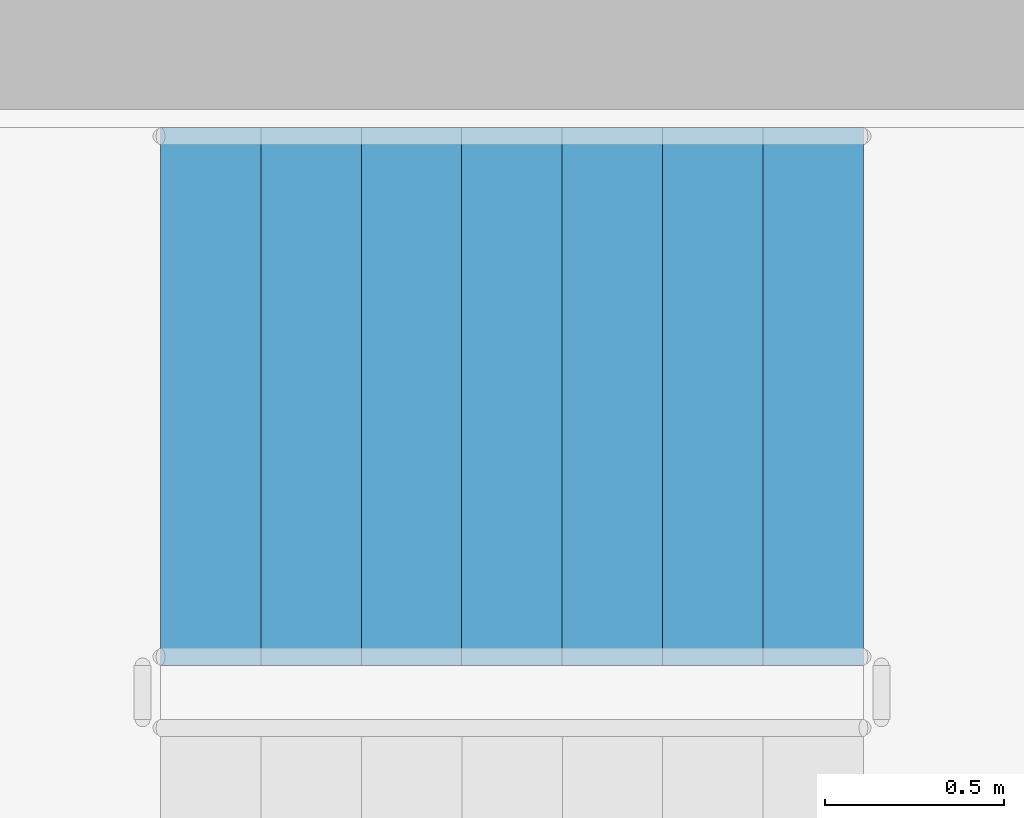
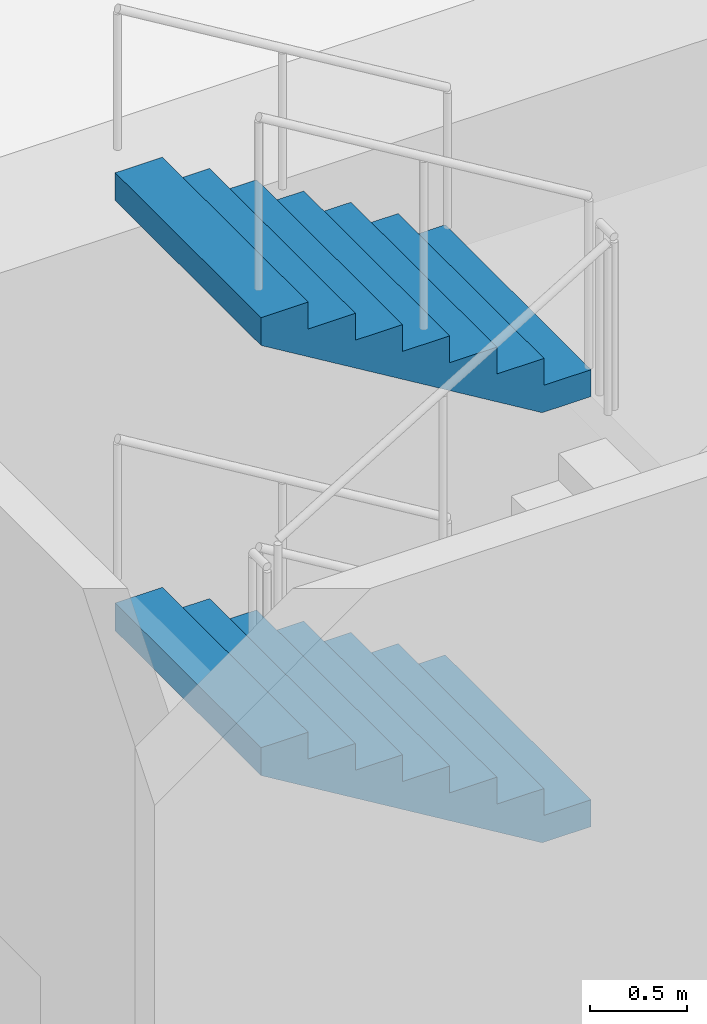
# One storey, part 54 of 101: 2 stair flights, 1 element without a shape of its own.
"""IFC4 building model written with IfcOpenShell, lengths in metres."""

import ifcopenshell
import ifcopenshell.guid

model = None  # the IFC model being written
_history = None  # IfcOwnerHistory: only IFC2X3 demands one
_inside = {}  # id of a spatial element -> (the spatial element, [elements in it])
_under = {}  # id of a project, library or spatial element -> (it, [spatial elements below it])
_declared = {}  # id of a project -> (the project, [libraries it declares])
_typed = {}  # id of a type object -> (the type object, [elements of that type])
_made_of = {}  # id of a material, layer set ... -> (it, [elements and type objects made of it])


def new_model(schema):
    """Start an empty IFC model of exactly this schema.

    Asked for "IFC4X3", IfcOpenShell would pick the latest addendum, in which some entities
    have other attributes; the version numbers below select the first issue.
    IFC2X3 requires an IfcOwnerHistory on every rooted entity: one is made here for all.
    """
    global model, _history
    if schema == "IFC4X3":
        model = ifcopenshell.file(schema_version=(4, 3, 0, 0))
    else:
        model = ifcopenshell.file(schema=schema)
    _inside.clear()
    _under.clear()
    _declared.clear()
    _typed.clear()
    _made_of.clear()
    _history = None
    if model.schema == "IFC2X3":
        org = make("IfcOrganization", Name="unknown")
        user = make(
            "IfcPersonAndOrganization",
            ThePerson=make("IfcPerson", FamilyName="unknown"),
            TheOrganization=org,
        )
        app = make(
            "IfcApplication",
            ApplicationDeveloper=org,
            Version="unknown",
            ApplicationFullName="unknown",
            ApplicationIdentifier="unknown",
        )
        _history = make(
            "IfcOwnerHistory",
            OwningUser=user,
            OwningApplication=app,
            ChangeAction="ADDED",
            CreationDate=0,
        )
    return model


def make(cls, **values):
    """One entity of the class cls with the attributes given. An attribute that is None is left unset."""
    return model.create_entity(
        cls, **{name: value for name, value in values.items() if value is not None}
    )


def rooted(cls, **values):
    """An entity with a GlobalId (a new one), such as an element, a storey or a relation."""
    return make(cls, GlobalId=ifcopenshell.guid.new(), OwnerHistory=_history, **values)


def si_unit(unit_type, name, prefix=None):
    """IfcSIUnit, for example si_unit("LENGTHUNIT", "METRE", prefix="MILLI")."""
    return make("IfcSIUnit", UnitType=unit_type, Prefix=prefix, Name=name)


def assignment(units):
    """IfcUnitAssignment: the units of a project."""
    return None if units is None else make("IfcUnitAssignment", Units=units)


def point(xyz):
    """IfcCartesianPoint."""
    return None if xyz is None else make("IfcCartesianPoint", Coordinates=xyz)


def direction(xyz):
    """IfcDirection."""
    return None if xyz is None else make("IfcDirection", DirectionRatios=xyz)


def frame(location, z_axis=None, x_axis=None):
    """IfcAxis2Placement3D, a coordinate frame: its origin and axes. An axis left out is left unset."""
    return make(
        "IfcAxis2Placement3D",
        Location=point(location),
        Axis=direction(z_axis),
        RefDirection=direction(x_axis),
    )


def origin():
    """The frame at (0, 0, 0) with its axes left unset."""
    return frame((0.0, 0.0, 0.0))


def place(relative_to, where):
    """IfcLocalPlacement: puts the frame where relative to a parent placement (None: the world)."""
    return make(
        "IfcLocalPlacement", PlacementRelTo=relative_to, RelativePlacement=where
    )


def context(
    kind, dimensions, precision=None, world=None, true_north=None, identifier=None
):
    """IfcGeometricRepresentationContext, for example the 3D "Model" context."""
    return make(
        "IfcGeometricRepresentationContext",
        ContextIdentifier=identifier,
        ContextType=kind,
        CoordinateSpaceDimension=dimensions,
        Precision=precision,
        WorldCoordinateSystem=world,
        TrueNorth=true_north,
    )


def subcontext(parent, identifier, kind, view, scale=None):
    """IfcGeometricRepresentationSubContext, for example "Body" below "Model"."""
    return make(
        "IfcGeometricRepresentationSubContext",
        ContextIdentifier=identifier,
        ContextType=kind,
        ParentContext=parent,
        TargetScale=scale,
        TargetView=view,
    )


def project(units=None, contexts=None):
    """IfcProject with its units and contexts."""
    return rooted(
        "IfcProject",
        Name="project",
        RepresentationContexts=contexts,
        UnitsInContext=assignment(units),
    )


def spatial(cls, under=None, at=None, **own):
    """A site, building, storey or space (cls), placed at a placement, below another one or the project."""
    s = rooted(cls, ObjectPlacement=at, **own)
    if under is not None:
        _under.setdefault(under.id(), (under, []))[1].append(s)
    return s


def point_list(points):
    """IfcCartesianPointList2D or 3D."""
    cls = (
        "IfcCartesianPointList2D" if len(points[0]) == 2 else "IfcCartesianPointList3D"
    )
    return make(cls, CoordList=points)


def triangles(points, corners, closed=None, point_numbers=None):
    """IfcTriangulatedFaceSet: each triangle names its three corners, points numbered from 1."""
    return make(
        "IfcTriangulatedFaceSet",
        Coordinates=point_list(points),
        Closed=closed,
        CoordIndex=corners,
        PnIndex=point_numbers,
    )


def shape(context_of_items, identifier, shape_type, items):
    """IfcShapeRepresentation: the items that make up one representation, for example the "Body"."""
    return make(
        "IfcShapeRepresentation",
        ContextOfItems=context_of_items,
        RepresentationIdentifier=identifier,
        RepresentationType=shape_type,
        Items=items,
    )


def material(Name=None, Category=None):
    """IfcMaterial."""
    return make("IfcMaterial", Name=Name, Category=Category)


def made_of(thing, what):
    """Note that an element or type object is made of a material, layer set ...; save() writes the relation."""
    if what is not None:
        _made_of.setdefault(what.id(), (what, []))[1].append(thing)
    return thing


def type_object(cls, material=None, **own):
    """A type object (cls), such as IfcWallType, which elements share."""
    return made_of(rooted(cls, **own), material)


def element(
    cls,
    number,
    at=None,
    inside=None,
    cuts=None,
    type_object=None,
    material=None,
    context=None,
    identifier="Body",
    shape_type=None,
    held_by="IfcProductDefinitionShape",
    body=None,
    shapes=None,
    **own,
):
    """One element of the class cls, such as IfcWall. Its Tag is "e" and its number.

    at: its placement. inside: the storey or other place that contains it. cuts: it is an
    opening in that element (IfcRelVoidsElement). A single representation is given by context,
    identifier, shape_type and body (its items); several are given by shapes. held_by: the class
    of the entity that holds the representations. save() writes the other relations.
    """
    e = rooted(cls, Tag="e%d" % number, ObjectPlacement=at, **own)
    if body is not None:
        shapes = [shape(context, identifier, shape_type, body)]
    if shapes is not None:
        e.Representation = make(held_by, Representations=shapes)
    if inside is not None:
        _inside.setdefault(inside.id(), (inside, []))[1].append(e)
    if cuts is not None:
        rooted(
            "IfcRelVoidsElement", RelatingBuildingElement=cuts, RelatedOpeningElement=e
        )
    if type_object is not None:
        _typed.setdefault(type_object.id(), (type_object, []))[1].append(e)
    return made_of(e, material)


def aggregate(whole, parts):
    """IfcRelAggregates: a whole, such as a stair, and the parts it consists of."""
    return rooted("IfcRelAggregates", RelatingObject=whole, RelatedObjects=parts)


def save(model, path):
    """Write the relations noted so far, then the file.

    IfcRelAggregates (storeys below a building ...), IfcRelContainedInSpatialStructure (elements
    in a storey), IfcRelDefinesByType, IfcRelAssociatesMaterial and IfcRelDeclares: one each for
    every whole, place, type object, material and project.
    """
    for whole, parts in _under.values():
        aggregate(whole, parts)
    for where, things in _inside.values():
        rooted(
            "IfcRelContainedInSpatialStructure",
            RelatedElements=things,
            RelatingStructure=where,
        )
    for kind, things in _typed.values():
        rooted("IfcRelDefinesByType", RelatedObjects=things, RelatingType=kind)
    for what, things in _made_of.values():
        rooted("IfcRelAssociatesMaterial", RelatedObjects=things, RelatingMaterial=what)
    for by, libraries in _declared.values():
        rooted("IfcRelDeclares", RelatingContext=by, RelatedDefinitions=libraries)
    model.write(path)


model = new_model("IFC4")

# Units and contexts
model_context = context("Model", 3, precision=1e-05, world=origin(), true_north=direction((0.0, 1.0)))
body_context = subcontext(model_context, "Body", "Model", "MODEL_VIEW")
ifc_project = project(units=[si_unit("LENGTHUNIT", "METRE"), si_unit("AREAUNIT", "SQUARE_METRE"), si_unit("VOLUMEUNIT", "CUBIC_METRE"), si_unit("PLANEANGLEUNIT", "RADIAN"), si_unit("MASSUNIT", "GRAM", prefix="KILO")], contexts=[model_context])

# Site, building, storey
site_placement = place(None, origin())
site = spatial("IfcSite", under=ifc_project, at=site_placement, CompositionType="ELEMENT")
building_placement = place(site_placement, origin())
building = spatial("IfcBuilding", under=site, at=building_placement, Name="Magnolia Steps Interchange", CompositionType="ELEMENT")
storey_placement = place(building_placement, frame((0.0, 0.0, -5.39990234375)))
storey = spatial("IfcBuildingStorey", under=building, at=storey_placement, Name="B1", CompositionType="ELEMENT", Elevation=-5.39990234375)

# Stair, stair flights
ifc_material_1 = material(Name="Concrete C40", Category="concrete")
stair_type = type_object("IfcStairType", Name="Exit stair 1500", PredefinedType="HALF_TURN_STAIR", material=ifc_material_1)
stair_placement = place(storey_placement, origin())
stair = element("IfcStair", 1, at=stair_placement, inside=storey, type_object=stair_type, Name="B1 Stair 7", PredefinedType="HALF_TURN_STAIR")
ifc_material_2 = material(Name="Concrete C40", Category="concrete")
stair_flight_type = type_object("IfcStairFlightType", Name="Exit stair flight", PredefinedType="STRAIGHT", material=ifc_material_2)
stair_flight_1_placement = place(storey_placement, frame((114.159912109375, 51.949951171875, 1.349853515625), z_axis=(0.0, 0.0, 1.0), x_axis=(-1.0, 0.0, 0.0)))
stair_flight_1 = element("IfcStairFlight", 2, at=stair_flight_1_placement, type_object=stair_flight_type, Name="Stair 7 flight 2", NumberOfRisers=8, NumberOfTreads=7, PredefinedType="STRAIGHT", RiserHeight=0.16875, TreadLength=0.28, context=body_context, shape_type="Tessellation", body=[
    triangles([(0.0, -0.75, 0.0), (0.29052734375, -0.75, 0.0), (1.9599609375, -0.75, 1.00634765625), (1.9599609375, -0.75, 1.18115234375), (1.679931640625, -0.75, 1.18115234375), (1.679931640625, -0.75, 1.012451171875), (1.39990234375, -0.75, 1.012451171875), (1.39990234375, -0.75, 0.84375), (1.1201171875, -0.75, 0.84375), (1.1201171875, -0.75, 0.675048828125), (0.840087890625, -0.75, 0.675048828125), (0.840087890625, -0.75, 0.50634765625), (0.56005859375, -0.75, 0.50634765625), (0.56005859375, -0.75, 0.33740234375), (0.280029296875, -0.75, 0.33740234375), (0.280029296875, -0.75, 0.168701171875), (0.0, -0.75, 0.168701171875), (0.0, 0.75, 0.0), (0.29052734375, 0.75, 0.0), (1.9599609375, 0.75, 1.00634765625), (1.9599609375, 0.75, 1.18115234375), (1.679931640625, 0.75, 1.18115234375), (1.679931640625, 0.75, 1.012451171875), (1.39990234375, 0.75, 1.012451171875), (1.39990234375, 0.75, 0.84375), (1.1201171875, 0.75, 0.84375), (1.1201171875, 0.75, 0.675048828125), (0.840087890625, 0.75, 0.675048828125), (0.840087890625, 0.75, 0.50634765625), (0.56005859375, 0.75, 0.50634765625), (0.56005859375, 0.75, 0.33740234375), (0.280029296875, 0.75, 0.33740234375), (0.280029296875, 0.75, 0.168701171875), (0.0, 0.75, 0.168701171875), (0.0, 0.0, 0.0), (0.0, 0.0, 0.04217529296875), (0.0, 0.0, 0.0843505859375), (0.0, 0.0, 0.12652587890625), (0.0, 0.0, 0.168701171875), (0.0, -0.05, 0.0), (0.0, -0.05, 0.168701171875), (0.0, 0.05, 0.0), (0.0, 0.05, 0.168701171875), (0.046671549479166664, 0.0, 0.168701171875), (0.09334309895833333, 0.0, 0.168701171875), (0.1400146484375, 0.0, 0.168701171875), (0.18668619791666666, 0.0, 0.168701171875), (0.23335774739583334, 0.0, 0.168701171875), (0.280029296875, 0.0, 0.168701171875), (0.280029296875, -0.05, 0.168701171875), (0.280029296875, 0.05, 0.168701171875), (0.280029296875, 0.0, 0.21087646484375), (0.280029296875, 0.0, 0.2530517578125), (0.280029296875, 0.0, 0.29522705078125), (0.280029296875, 0.0, 0.33740234375), (0.280029296875, -0.05, 0.33740234375), (0.280029296875, 0.05, 0.33740234375), (0.3267008463541667, 0.0, 0.33740234375), (0.3733723958333333, 0.0, 0.33740234375), (0.4200439453125, 0.0, 0.33740234375), (0.46671549479166663, 0.0, 0.33740234375), (0.5133870442708334, 0.0, 0.33740234375), (0.56005859375, 0.0, 0.33740234375), (0.56005859375, -0.05, 0.33740234375), (0.56005859375, 0.05, 0.33740234375), (0.56005859375, 0.0, 0.379638671875), (0.56005859375, 0.0, 0.421875), (0.56005859375, 0.0, 0.464111328125), (0.56005859375, 0.0, 0.50634765625), (0.56005859375, -0.05, 0.50634765625), (0.56005859375, 0.05, 0.50634765625), (0.6067301432291666, 0.0, 0.50634765625), (0.6534016927083334, 0.0, 0.50634765625), (0.7000732421875, 0.0, 0.50634765625), (0.7467447916666666, 0.0, 0.50634765625), (0.7934163411458334, 0.0, 0.50634765625), (0.840087890625, 0.0, 0.50634765625), (0.840087890625, -0.05, 0.50634765625), (0.840087890625, 0.05, 0.50634765625), (0.840087890625, 0.0, 0.54852294921875), (0.840087890625, 0.0, 0.5906982421875), (0.840087890625, 0.0, 0.63287353515625), (0.840087890625, 0.0, 0.675048828125), (0.840087890625, -0.05, 0.675048828125), (0.840087890625, 0.05, 0.675048828125), (0.8867594401041666, 0.0, 0.675048828125), (0.9334309895833334, 0.0, 0.675048828125), (0.9801025390625, 0.0, 0.675048828125), (1.0267740885416667, 0.0, 0.675048828125), (1.0734456380208333, 0.0, 0.675048828125), (1.1201171875, 0.0, 0.675048828125), (1.1201171875, -0.05, 0.675048828125), (1.1201171875, 0.05, 0.675048828125), (1.1201171875, 0.0, 0.71722412109375), (1.1201171875, 0.0, 0.7593994140625), (1.1201171875, 0.0, 0.80157470703125), (1.1201171875, 0.0, 0.84375), (1.1201171875, -0.05, 0.84375), (1.1201171875, 0.05, 0.84375), (1.1900634765625, 0.0, 0.84375), (1.260009765625, 0.0, 0.84375), (1.3299560546875, 0.0, 0.84375), (1.39990234375, 0.0, 0.84375), (1.39990234375, -0.05, 0.84375), (1.39990234375, 0.05, 0.84375), (1.39990234375, 0.0, 0.88592529296875), (1.39990234375, 0.0, 0.9281005859375), (1.39990234375, 0.0, 0.97027587890625), (1.39990234375, 0.0, 1.012451171875), (1.39990234375, -0.05, 1.012451171875), (1.39990234375, 0.05, 1.012451171875), (1.4465738932291667, 0.0, 1.012451171875), (1.4932454427083333, 0.0, 1.012451171875), (1.5399169921875, 0.0, 1.012451171875), (1.5865885416666667, 0.0, 1.012451171875), (1.6332600911458333, 0.0, 1.012451171875), (1.679931640625, 0.0, 1.012451171875), (1.679931640625, -0.05, 1.012451171875), (1.679931640625, 0.05, 1.012451171875), (1.679931640625, 0.0, 1.05462646484375), (1.679931640625, 0.0, 1.0968017578125), (1.679931640625, 0.0, 1.13897705078125), (1.679931640625, 0.0, 1.18115234375), (1.679931640625, -0.05, 1.18115234375), (1.679931640625, 0.05, 1.18115234375), (1.7266031901041667, 0.0, 1.18115234375), (1.7732747395833333, 0.0, 1.18115234375), (1.8199462890625, 0.0, 1.18115234375), (1.8666178385416667, 0.0, 1.18115234375), (1.9132893880208333, 0.0, 1.18115234375), (1.9599609375, 0.0, 1.18115234375), (1.9599609375, -0.05, 1.18115234375), (1.9599609375, 0.05, 1.18115234375), (1.9599609375, 0.0, 1.137451171875), (1.9599609375, 0.0, 1.09375), (1.9599609375, 0.0, 1.050048828125), (1.9599609375, 0.0, 1.00634765625), (1.9599609375, -0.05, 1.00634765625), (1.9599609375, 0.05, 1.00634765625), (1.9003383091517858, 0.0, 0.9704066685267857), (1.8407156808035714, 0.0, 0.9344656808035714), (1.7810930524553572, 0.0, 0.8985246930803571), (1.7214704241071428, 0.0, 0.8625837053571428), (1.6618477957589286, 0.0, 0.8266427176339286), (1.6022251674107144, 0.0, 0.7907017299107143), (1.5426025390625, 0.0, 0.7547607421875), (1.4829799107142856, 0.0, 0.7188197544642857), (1.4233572823660714, 0.0, 0.6828787667410714), (1.3637346540178572, 0.0, 0.6469377790178572), (1.3041120256696428, 0.0, 0.6109967912946428), (1.2444893973214286, 0.0, 0.5750558035714286), (1.1848667689732144, 0.0, 0.5391148158482143), (1.125244140625, 0.0, 0.503173828125), (1.0656215122767856, 0.0, 0.4672328404017857), (1.0059988839285714, 0.0, 0.4312918526785714), (0.9463762555803572, 0.0, 0.3953508649553571), (0.8867536272321428, 0.0, 0.3594098772321429), (0.8271309988839286, 0.0, 0.3234688895089286), (0.7675083705357142, 0.0, 0.2875279017857143), (0.7078857421875, 0.0, 0.2515869140625), (0.6482631138392858, 0.0, 0.2156459263392857), (0.5886404854910714, 0.0, 0.1797049386160714), (0.5290178571428572, 0.0, 0.1437639508928571), (0.4693952287946428, 0.0, 0.1078229631696429), (0.4097726004464286, 0.0, 0.0718819754464286), (0.3501499720982142, 0.0, 0.0359409877232143), (0.29052734375, 0.0, 0.0), (0.29052734375, -0.05, 0.0), (0.29052734375, 0.05, 0.0), (0.24210611979166666, 0.0, 0.0), (0.19368489583333331, 0.0, 0.0), (0.145263671875, 0.0, 0.0), (0.09684244791666666, 0.0, 0.0), (0.04842122395833334, 0.0, 0.0)], [[1, 2, 3], [3, 4, 5], [3, 5, 6], [3, 6, 7], [3, 7, 8], [8, 9, 10], [3, 8, 10], [10, 11, 12], [3, 10, 12], [12, 13, 14], [3, 12, 14], [14, 15, 16], [3, 14, 16], [1, 3, 16], [16, 17, 1], [18, 20, 19], [20, 22, 21], [20, 23, 22], [20, 24, 23], [20, 25, 24], [25, 27, 26], [20, 27, 25], [27, 29, 28], [20, 29, 27], [29, 31, 30], [20, 31, 29], [31, 33, 32], [20, 33, 31], [18, 33, 20], [33, 18, 34], [1, 17, 41], [1, 41, 40], [40, 36, 35], [40, 37, 36], [40, 41, 37], [41, 38, 37], [41, 39, 38], [18, 43, 34], [18, 42, 43], [42, 35, 36], [42, 36, 37], [42, 37, 43], [43, 37, 38], [43, 38, 39], [17, 16, 50], [17, 50, 41], [41, 44, 39], [41, 45, 44], [41, 46, 45], [41, 50, 46], [50, 47, 46], [50, 48, 47], [50, 49, 48], [34, 51, 33], [34, 43, 51], [43, 39, 44], [43, 44, 45], [43, 45, 46], [43, 46, 51], [51, 46, 47], [51, 47, 48], [51, 48, 49], [16, 15, 56], [16, 56, 50], [50, 52, 49], [50, 53, 52], [50, 56, 53], [56, 54, 53], [56, 55, 54], [33, 57, 32], [33, 51, 57], [51, 49, 52], [51, 52, 53], [51, 53, 57], [57, 53, 54], [57, 54, 55], [15, 14, 64], [15, 64, 56], [56, 58, 55], [56, 59, 58], [56, 60, 59], [56, 64, 60], [64, 61, 60], [64, 62, 61], [64, 63, 62], [32, 65, 31], [32, 57, 65], [57, 55, 58], [57, 58, 59], [57, 59, 60], [57, 60, 65], [65, 60, 61], [65, 61, 62], [65, 62, 63], [14, 13, 70], [14, 70, 64], [64, 66, 63], [64, 67, 66], [64, 70, 67], [70, 68, 67], [70, 69, 68], [31, 71, 30], [31, 65, 71], [65, 63, 66], [65, 66, 67], [65, 67, 71], [71, 67, 68], [71, 68, 69], [13, 12, 78], [13, 78, 70], [70, 72, 69], [70, 73, 72], [70, 74, 73], [70, 78, 74], [78, 75, 74], [78, 76, 75], [78, 77, 76], [30, 79, 29], [30, 71, 79], [71, 69, 72], [71, 72, 73], [71, 73, 74], [71, 74, 79], [79, 74, 75], [79, 75, 76], [79, 76, 77], [12, 11, 84], [12, 84, 78], [78, 80, 77], [78, 81, 80], [78, 84, 81], [84, 82, 81], [84, 83, 82], [29, 85, 28], [29, 79, 85], [79, 77, 80], [79, 80, 81], [79, 81, 85], [85, 81, 82], [85, 82, 83], [11, 10, 92], [11, 92, 84], [84, 86, 83], [84, 87, 86], [84, 88, 87], [84, 92, 88], [92, 89, 88], [92, 90, 89], [92, 91, 90], [28, 93, 27], [28, 85, 93], [85, 83, 86], [85, 86, 87], [85, 87, 88], [85, 88, 93], [93, 88, 89], [93, 89, 90], [93, 90, 91], [10, 9, 98], [10, 98, 92], [92, 94, 91], [92, 95, 94], [92, 98, 95], [98, 96, 95], [98, 97, 96], [27, 99, 26], [27, 93, 99], [93, 91, 94], [93, 94, 95], [93, 95, 99], [99, 95, 96], [99, 96, 97], [9, 8, 104], [9, 104, 98], [98, 100, 97], [98, 101, 100], [98, 104, 101], [104, 102, 101], [104, 103, 102], [26, 105, 25], [26, 99, 105], [99, 97, 100], [99, 100, 101], [99, 101, 105], [105, 101, 102], [105, 102, 103], [8, 7, 110], [8, 110, 104], [104, 106, 103], [104, 107, 106], [104, 110, 107], [110, 108, 107], [110, 109, 108], [25, 111, 24], [25, 105, 111], [105, 103, 106], [105, 106, 107], [105, 107, 111], [111, 107, 108], [111, 108, 109], [7, 6, 118], [7, 118, 110], [110, 112, 109], [110, 113, 112], [110, 114, 113], [110, 118, 114], [118, 115, 114], [118, 116, 115], [118, 117, 116], [24, 119, 23], [24, 111, 119], [111, 109, 112], [111, 112, 113], [111, 113, 114], [111, 114, 119], [119, 114, 115], [119, 115, 116], [119, 116, 117], [6, 5, 124], [6, 124, 118], [118, 120, 117], [118, 121, 120], [118, 124, 121], [124, 122, 121], [124, 123, 122], [23, 125, 22], [23, 119, 125], [119, 117, 120], [119, 120, 121], [119, 121, 125], [125, 121, 122], [125, 122, 123], [5, 4, 132], [5, 132, 124], [124, 126, 123], [124, 127, 126], [124, 128, 127], [124, 132, 128], [132, 129, 128], [132, 130, 129], [132, 131, 130], [22, 133, 21], [22, 125, 133], [125, 123, 126], [125, 126, 127], [125, 127, 128], [125, 128, 133], [133, 128, 129], [133, 129, 130], [133, 130, 131], [4, 3, 138], [4, 138, 132], [132, 134, 131], [132, 135, 134], [132, 138, 135], [138, 136, 135], [138, 137, 136], [21, 139, 20], [21, 133, 139], [133, 131, 134], [133, 134, 135], [133, 135, 139], [139, 135, 136], [139, 136, 137], [3, 2, 168], [3, 168, 138], [138, 140, 137], [138, 141, 140], [138, 142, 141], [138, 143, 142], [138, 144, 143], [138, 145, 144], [138, 146, 145], [138, 147, 146], [138, 148, 147], [138, 149, 148], [138, 150, 149], [138, 151, 150], [138, 152, 151], [138, 153, 152], [138, 168, 153], [168, 154, 153], [168, 155, 154], [168, 156, 155], [168, 157, 156], [168, 158, 157], [168, 159, 158], [168, 160, 159], [168, 161, 160], [168, 162, 161], [168, 163, 162], [168, 164, 163], [168, 165, 164], [168, 166, 165], [168, 167, 166], [20, 169, 19], [20, 139, 169], [139, 137, 140], [139, 140, 141], [139, 141, 142], [139, 142, 143], [139, 143, 144], [139, 144, 145], [139, 145, 146], [139, 146, 147], [139, 147, 148], [139, 148, 149], [139, 149, 150], [139, 150, 151], [139, 151, 152], [139, 152, 153], [139, 153, 169], [169, 153, 154], [169, 154, 155], [169, 155, 156], [169, 156, 157], [169, 157, 158], [169, 158, 159], [169, 159, 160], [169, 160, 161], [169, 161, 162], [169, 162, 163], [169, 163, 164], [169, 164, 165], [169, 165, 166], [169, 166, 167], [2, 1, 40], [2, 40, 168], [168, 170, 167], [168, 171, 170], [168, 172, 171], [168, 40, 172], [40, 173, 172], [40, 174, 173], [40, 35, 174], [19, 42, 18], [19, 169, 42], [169, 167, 170], [169, 170, 171], [169, 171, 172], [169, 172, 42], [42, 172, 173], [42, 173, 174], [42, 174, 35]], closed=True),
])
stair_flight_2_placement = place(storey_placement, frame((114.159912109375, 51.949951171875, 4.0498046875), z_axis=(0.0, 0.0, 1.0), x_axis=(-1.0, 0.0, 0.0)))
stair_flight_2 = element("IfcStairFlight", 3, at=stair_flight_2_placement, type_object=stair_flight_type, Name="Stair 7 flight 4", NumberOfRisers=8, NumberOfTreads=7, PredefinedType="STRAIGHT", RiserHeight=0.16875, TreadLength=0.28, context=body_context, shape_type="Tessellation", body=[
    triangles([(0.0, -0.75, 0.0), (0.29052734375, -0.75, 0.0), (1.9599609375, -0.75, 1.00634765625), (1.9599609375, -0.75, 1.18115234375), (1.679931640625, -0.75, 1.18115234375), (1.679931640625, -0.75, 1.012451171875), (1.39990234375, -0.75, 1.012451171875), (1.39990234375, -0.75, 0.84375), (1.1201171875, -0.75, 0.84375), (1.1201171875, -0.75, 0.675048828125), (0.840087890625, -0.75, 0.675048828125), (0.840087890625, -0.75, 0.50634765625), (0.56005859375, -0.75, 0.50634765625), (0.56005859375, -0.75, 0.33740234375), (0.280029296875, -0.75, 0.33740234375), (0.280029296875, -0.75, 0.168701171875), (0.0, -0.75, 0.168701171875), (0.0, 0.75, 0.0), (0.29052734375, 0.75, 0.0), (1.9599609375, 0.75, 1.00634765625), (1.9599609375, 0.75, 1.18115234375), (1.679931640625, 0.75, 1.18115234375), (1.679931640625, 0.75, 1.012451171875), (1.39990234375, 0.75, 1.012451171875), (1.39990234375, 0.75, 0.84375), (1.1201171875, 0.75, 0.84375), (1.1201171875, 0.75, 0.675048828125), (0.840087890625, 0.75, 0.675048828125), (0.840087890625, 0.75, 0.50634765625), (0.56005859375, 0.75, 0.50634765625), (0.56005859375, 0.75, 0.33740234375), (0.280029296875, 0.75, 0.33740234375), (0.280029296875, 0.75, 0.168701171875), (0.0, 0.75, 0.168701171875), (0.0, 0.0, 0.0), (0.0, 0.0, 0.04217529296875), (0.0, 0.0, 0.0843505859375), (0.0, 0.0, 0.12652587890625), (0.0, 0.0, 0.168701171875), (0.0, -0.05, 0.0), (0.0, -0.05, 0.168701171875), (0.0, 0.05, 0.0), (0.0, 0.05, 0.168701171875), (0.046671549479166664, 0.0, 0.168701171875), (0.09334309895833333, 0.0, 0.168701171875), (0.1400146484375, 0.0, 0.168701171875), (0.18668619791666666, 0.0, 0.168701171875), (0.23335774739583334, 0.0, 0.168701171875), (0.280029296875, 0.0, 0.168701171875), (0.280029296875, -0.05, 0.168701171875), (0.280029296875, 0.05, 0.168701171875), (0.280029296875, 0.0, 0.21087646484375), (0.280029296875, 0.0, 0.2530517578125), (0.280029296875, 0.0, 0.29522705078125), (0.280029296875, 0.0, 0.33740234375), (0.280029296875, -0.05, 0.33740234375), (0.280029296875, 0.05, 0.33740234375), (0.3267008463541667, 0.0, 0.33740234375), (0.3733723958333333, 0.0, 0.33740234375), (0.4200439453125, 0.0, 0.33740234375), (0.46671549479166663, 0.0, 0.33740234375), (0.5133870442708334, 0.0, 0.33740234375), (0.56005859375, 0.0, 0.33740234375), (0.56005859375, -0.05, 0.33740234375), (0.56005859375, 0.05, 0.33740234375), (0.56005859375, 0.0, 0.379638671875), (0.56005859375, 0.0, 0.421875), (0.56005859375, 0.0, 0.464111328125), (0.56005859375, 0.0, 0.50634765625), (0.56005859375, -0.05, 0.50634765625), (0.56005859375, 0.05, 0.50634765625), (0.6067301432291666, 0.0, 0.50634765625), (0.6534016927083334, 0.0, 0.50634765625), (0.7000732421875, 0.0, 0.50634765625), (0.7467447916666666, 0.0, 0.50634765625), (0.7934163411458334, 0.0, 0.50634765625), (0.840087890625, 0.0, 0.50634765625), (0.840087890625, -0.05, 0.50634765625), (0.840087890625, 0.05, 0.50634765625), (0.840087890625, 0.0, 0.54852294921875), (0.840087890625, 0.0, 0.5906982421875), (0.840087890625, 0.0, 0.63287353515625), (0.840087890625, 0.0, 0.675048828125), (0.840087890625, -0.05, 0.675048828125), (0.840087890625, 0.05, 0.675048828125), (0.8867594401041666, 0.0, 0.675048828125), (0.9334309895833334, 0.0, 0.675048828125), (0.9801025390625, 0.0, 0.675048828125), (1.0267740885416667, 0.0, 0.675048828125), (1.0734456380208333, 0.0, 0.675048828125), (1.1201171875, 0.0, 0.675048828125), (1.1201171875, -0.05, 0.675048828125), (1.1201171875, 0.05, 0.675048828125), (1.1201171875, 0.0, 0.71722412109375), (1.1201171875, 0.0, 0.7593994140625), (1.1201171875, 0.0, 0.80157470703125), (1.1201171875, 0.0, 0.84375), (1.1201171875, -0.05, 0.84375), (1.1201171875, 0.05, 0.84375), (1.1900634765625, 0.0, 0.84375), (1.260009765625, 0.0, 0.84375), (1.3299560546875, 0.0, 0.84375), (1.39990234375, 0.0, 0.84375), (1.39990234375, -0.05, 0.84375), (1.39990234375, 0.05, 0.84375), (1.39990234375, 0.0, 0.88592529296875), (1.39990234375, 0.0, 0.9281005859375), (1.39990234375, 0.0, 0.97027587890625), (1.39990234375, 0.0, 1.012451171875), (1.39990234375, -0.05, 1.012451171875), (1.39990234375, 0.05, 1.012451171875), (1.4465738932291667, 0.0, 1.012451171875), (1.4932454427083333, 0.0, 1.012451171875), (1.5399169921875, 0.0, 1.012451171875), (1.5865885416666667, 0.0, 1.012451171875), (1.6332600911458333, 0.0, 1.012451171875), (1.679931640625, 0.0, 1.012451171875), (1.679931640625, -0.05, 1.012451171875), (1.679931640625, 0.05, 1.012451171875), (1.679931640625, 0.0, 1.05462646484375), (1.679931640625, 0.0, 1.0968017578125), (1.679931640625, 0.0, 1.13897705078125), (1.679931640625, 0.0, 1.18115234375), (1.679931640625, -0.05, 1.18115234375), (1.679931640625, 0.05, 1.18115234375), (1.7266031901041667, 0.0, 1.18115234375), (1.7732747395833333, 0.0, 1.18115234375), (1.8199462890625, 0.0, 1.18115234375), (1.8666178385416667, 0.0, 1.18115234375), (1.9132893880208333, 0.0, 1.18115234375), (1.9599609375, 0.0, 1.18115234375), (1.9599609375, -0.05, 1.18115234375), (1.9599609375, 0.05, 1.18115234375), (1.9599609375, 0.0, 1.137451171875), (1.9599609375, 0.0, 1.09375), (1.9599609375, 0.0, 1.050048828125), (1.9599609375, 0.0, 1.00634765625), (1.9599609375, -0.05, 1.00634765625), (1.9599609375, 0.05, 1.00634765625), (1.9003383091517858, 0.0, 0.9704066685267857), (1.8407156808035714, 0.0, 0.9344656808035714), (1.7810930524553572, 0.0, 0.8985246930803571), (1.7214704241071428, 0.0, 0.8625837053571428), (1.6618477957589286, 0.0, 0.8266427176339286), (1.6022251674107144, 0.0, 0.7907017299107143), (1.5426025390625, 0.0, 0.7547607421875), (1.4829799107142856, 0.0, 0.7188197544642857), (1.4233572823660714, 0.0, 0.6828787667410714), (1.3637346540178572, 0.0, 0.6469377790178572), (1.3041120256696428, 0.0, 0.6109967912946428), (1.2444893973214286, 0.0, 0.5750558035714286), (1.1848667689732144, 0.0, 0.5391148158482143), (1.125244140625, 0.0, 0.503173828125), (1.0656215122767856, 0.0, 0.4672328404017857), (1.0059988839285714, 0.0, 0.4312918526785714), (0.9463762555803572, 0.0, 0.3953508649553571), (0.8867536272321428, 0.0, 0.3594098772321429), (0.8271309988839286, 0.0, 0.3234688895089286), (0.7675083705357142, 0.0, 0.2875279017857143), (0.7078857421875, 0.0, 0.2515869140625), (0.6482631138392858, 0.0, 0.2156459263392857), (0.5886404854910714, 0.0, 0.1797049386160714), (0.5290178571428572, 0.0, 0.1437639508928571), (0.4693952287946428, 0.0, 0.1078229631696429), (0.4097726004464286, 0.0, 0.0718819754464286), (0.3501499720982142, 0.0, 0.0359409877232143), (0.29052734375, 0.0, 0.0), (0.29052734375, -0.05, 0.0), (0.29052734375, 0.05, 0.0), (0.24210611979166666, 0.0, 0.0), (0.19368489583333331, 0.0, 0.0), (0.145263671875, 0.0, 0.0), (0.09684244791666666, 0.0, 0.0), (0.04842122395833334, 0.0, 0.0)], [[1, 2, 3], [3, 4, 5], [3, 5, 6], [3, 6, 7], [3, 7, 8], [8, 9, 10], [3, 8, 10], [10, 11, 12], [3, 10, 12], [12, 13, 14], [3, 12, 14], [14, 15, 16], [3, 14, 16], [1, 3, 16], [16, 17, 1], [18, 20, 19], [20, 22, 21], [20, 23, 22], [20, 24, 23], [20, 25, 24], [25, 27, 26], [20, 27, 25], [27, 29, 28], [20, 29, 27], [29, 31, 30], [20, 31, 29], [31, 33, 32], [20, 33, 31], [18, 33, 20], [33, 18, 34], [1, 17, 41], [1, 41, 40], [40, 36, 35], [40, 37, 36], [40, 41, 37], [41, 38, 37], [41, 39, 38], [18, 43, 34], [18, 42, 43], [42, 35, 36], [42, 36, 37], [42, 37, 43], [43, 37, 38], [43, 38, 39], [17, 16, 50], [17, 50, 41], [41, 44, 39], [41, 45, 44], [41, 46, 45], [41, 50, 46], [50, 47, 46], [50, 48, 47], [50, 49, 48], [34, 51, 33], [34, 43, 51], [43, 39, 44], [43, 44, 45], [43, 45, 46], [43, 46, 51], [51, 46, 47], [51, 47, 48], [51, 48, 49], [16, 15, 56], [16, 56, 50], [50, 52, 49], [50, 53, 52], [50, 56, 53], [56, 54, 53], [56, 55, 54], [33, 57, 32], [33, 51, 57], [51, 49, 52], [51, 52, 53], [51, 53, 57], [57, 53, 54], [57, 54, 55], [15, 14, 64], [15, 64, 56], [56, 58, 55], [56, 59, 58], [56, 60, 59], [56, 64, 60], [64, 61, 60], [64, 62, 61], [64, 63, 62], [32, 65, 31], [32, 57, 65], [57, 55, 58], [57, 58, 59], [57, 59, 60], [57, 60, 65], [65, 60, 61], [65, 61, 62], [65, 62, 63], [14, 13, 70], [14, 70, 64], [64, 66, 63], [64, 67, 66], [64, 70, 67], [70, 68, 67], [70, 69, 68], [31, 71, 30], [31, 65, 71], [65, 63, 66], [65, 66, 67], [65, 67, 71], [71, 67, 68], [71, 68, 69], [13, 12, 78], [13, 78, 70], [70, 72, 69], [70, 73, 72], [70, 74, 73], [70, 78, 74], [78, 75, 74], [78, 76, 75], [78, 77, 76], [30, 79, 29], [30, 71, 79], [71, 69, 72], [71, 72, 73], [71, 73, 74], [71, 74, 79], [79, 74, 75], [79, 75, 76], [79, 76, 77], [12, 11, 84], [12, 84, 78], [78, 80, 77], [78, 81, 80], [78, 84, 81], [84, 82, 81], [84, 83, 82], [29, 85, 28], [29, 79, 85], [79, 77, 80], [79, 80, 81], [79, 81, 85], [85, 81, 82], [85, 82, 83], [11, 10, 92], [11, 92, 84], [84, 86, 83], [84, 87, 86], [84, 88, 87], [84, 92, 88], [92, 89, 88], [92, 90, 89], [92, 91, 90], [28, 93, 27], [28, 85, 93], [85, 83, 86], [85, 86, 87], [85, 87, 88], [85, 88, 93], [93, 88, 89], [93, 89, 90], [93, 90, 91], [10, 9, 98], [10, 98, 92], [92, 94, 91], [92, 95, 94], [92, 98, 95], [98, 96, 95], [98, 97, 96], [27, 99, 26], [27, 93, 99], [93, 91, 94], [93, 94, 95], [93, 95, 99], [99, 95, 96], [99, 96, 97], [9, 8, 104], [9, 104, 98], [98, 100, 97], [98, 101, 100], [98, 104, 101], [104, 102, 101], [104, 103, 102], [26, 105, 25], [26, 99, 105], [99, 97, 100], [99, 100, 101], [99, 101, 105], [105, 101, 102], [105, 102, 103], [8, 7, 110], [8, 110, 104], [104, 106, 103], [104, 107, 106], [104, 110, 107], [110, 108, 107], [110, 109, 108], [25, 111, 24], [25, 105, 111], [105, 103, 106], [105, 106, 107], [105, 107, 111], [111, 107, 108], [111, 108, 109], [7, 6, 118], [7, 118, 110], [110, 112, 109], [110, 113, 112], [110, 114, 113], [110, 118, 114], [118, 115, 114], [118, 116, 115], [118, 117, 116], [24, 119, 23], [24, 111, 119], [111, 109, 112], [111, 112, 113], [111, 113, 114], [111, 114, 119], [119, 114, 115], [119, 115, 116], [119, 116, 117], [6, 5, 124], [6, 124, 118], [118, 120, 117], [118, 121, 120], [118, 124, 121], [124, 122, 121], [124, 123, 122], [23, 125, 22], [23, 119, 125], [119, 117, 120], [119, 120, 121], [119, 121, 125], [125, 121, 122], [125, 122, 123], [5, 4, 132], [5, 132, 124], [124, 126, 123], [124, 127, 126], [124, 128, 127], [124, 132, 128], [132, 129, 128], [132, 130, 129], [132, 131, 130], [22, 133, 21], [22, 125, 133], [125, 123, 126], [125, 126, 127], [125, 127, 128], [125, 128, 133], [133, 128, 129], [133, 129, 130], [133, 130, 131], [4, 3, 138], [4, 138, 132], [132, 134, 131], [132, 135, 134], [132, 138, 135], [138, 136, 135], [138, 137, 136], [21, 139, 20], [21, 133, 139], [133, 131, 134], [133, 134, 135], [133, 135, 139], [139, 135, 136], [139, 136, 137], [3, 2, 168], [3, 168, 138], [138, 140, 137], [138, 141, 140], [138, 142, 141], [138, 143, 142], [138, 144, 143], [138, 145, 144], [138, 146, 145], [138, 147, 146], [138, 148, 147], [138, 149, 148], [138, 150, 149], [138, 151, 150], [138, 152, 151], [138, 153, 152], [138, 168, 153], [168, 154, 153], [168, 155, 154], [168, 156, 155], [168, 157, 156], [168, 158, 157], [168, 159, 158], [168, 160, 159], [168, 161, 160], [168, 162, 161], [168, 163, 162], [168, 164, 163], [168, 165, 164], [168, 166, 165], [168, 167, 166], [20, 169, 19], [20, 139, 169], [139, 137, 140], [139, 140, 141], [139, 141, 142], [139, 142, 143], [139, 143, 144], [139, 144, 145], [139, 145, 146], [139, 146, 147], [139, 147, 148], [139, 148, 149], [139, 149, 150], [139, 150, 151], [139, 151, 152], [139, 152, 153], [139, 153, 169], [169, 153, 154], [169, 154, 155], [169, 155, 156], [169, 156, 157], [169, 157, 158], [169, 158, 159], [169, 159, 160], [169, 160, 161], [169, 161, 162], [169, 162, 163], [169, 163, 164], [169, 164, 165], [169, 165, 166], [169, 166, 167], [2, 1, 40], [2, 40, 168], [168, 170, 167], [168, 171, 170], [168, 172, 171], [168, 40, 172], [40, 173, 172], [40, 174, 173], [40, 35, 174], [19, 42, 18], [19, 169, 42], [169, 167, 170], [169, 170, 171], [169, 171, 172], [169, 172, 42], [42, 172, 173], [42, 173, 174], [42, 174, 35]], closed=True),
])
aggregate(stair, [stair_flight_1, stair_flight_2])

save(model, "model.ifc")
